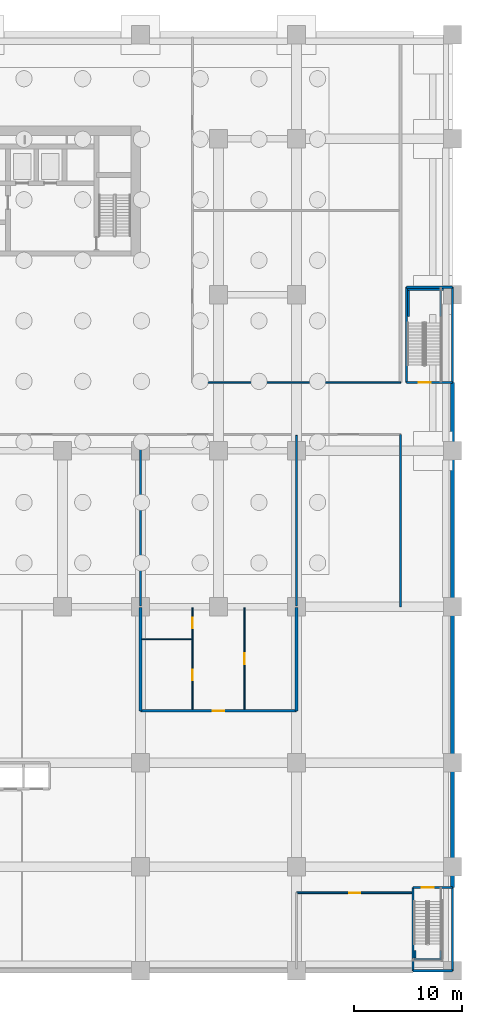
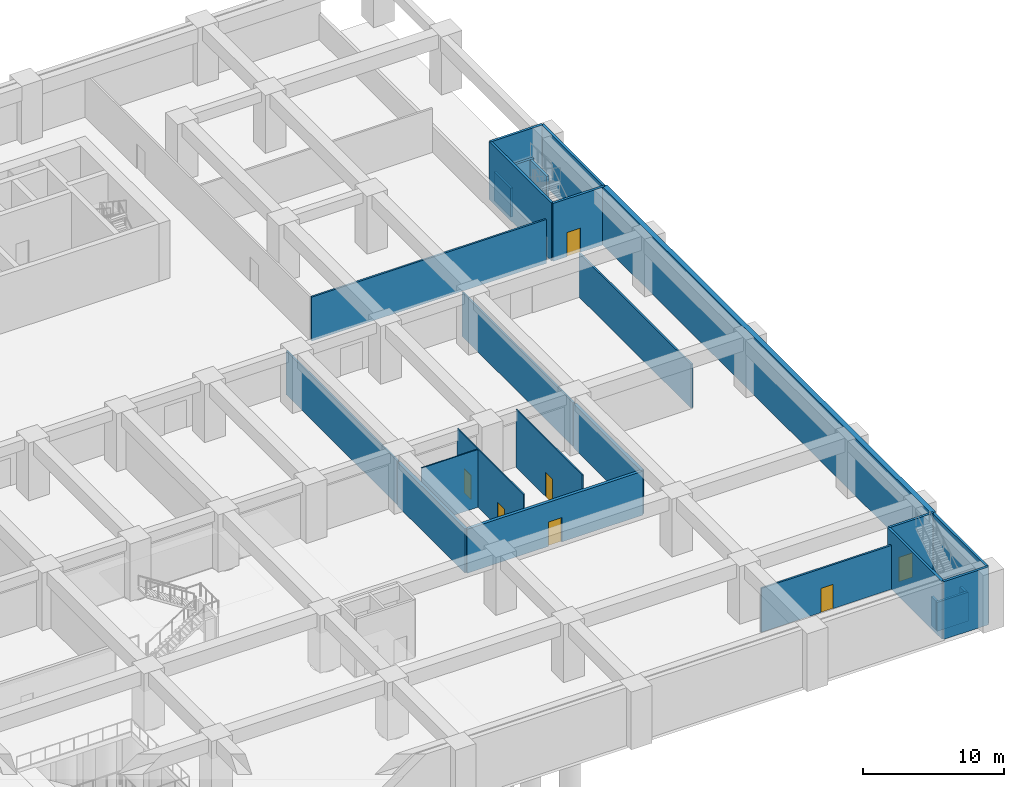
# One storey, part 7 of 20: 26 walls, 7 doors, 7 openings.
"""IFC4 building model written with IfcOpenShell, lengths in metres."""

import ifcopenshell
import ifcopenshell.guid

model = None  # the IFC model being written
_history = None  # IfcOwnerHistory: only IFC2X3 demands one
_inside = {}  # id of a spatial element -> (the spatial element, [elements in it])
_under = {}  # id of a project, library or spatial element -> (it, [spatial elements below it])
_declared = {}  # id of a project -> (the project, [libraries it declares])
_typed = {}  # id of a type object -> (the type object, [elements of that type])
_made_of = {}  # id of a material, layer set ... -> (it, [elements and type objects made of it])


def new_model(schema):
    """Start an empty IFC model of exactly this schema.

    Asked for "IFC4X3", IfcOpenShell would pick the latest addendum, in which some entities
    have other attributes; the version numbers below select the first issue.
    IFC2X3 requires an IfcOwnerHistory on every rooted entity: one is made here for all.
    """
    global model, _history
    if schema == "IFC4X3":
        model = ifcopenshell.file(schema_version=(4, 3, 0, 0))
    else:
        model = ifcopenshell.file(schema=schema)
    _inside.clear()
    _under.clear()
    _declared.clear()
    _typed.clear()
    _made_of.clear()
    _history = None
    if model.schema == "IFC2X3":
        org = make("IfcOrganization", Name="unknown")
        user = make(
            "IfcPersonAndOrganization",
            ThePerson=make("IfcPerson", FamilyName="unknown"),
            TheOrganization=org,
        )
        app = make(
            "IfcApplication",
            ApplicationDeveloper=org,
            Version="unknown",
            ApplicationFullName="unknown",
            ApplicationIdentifier="unknown",
        )
        _history = make(
            "IfcOwnerHistory",
            OwningUser=user,
            OwningApplication=app,
            ChangeAction="ADDED",
            CreationDate=0,
        )
    return model


def make(cls, **values):
    """One entity of the class cls with the attributes given. An attribute that is None is left unset."""
    return model.create_entity(
        cls, **{name: value for name, value in values.items() if value is not None}
    )


def rooted(cls, **values):
    """An entity with a GlobalId (a new one), such as an element, a storey or a relation."""
    return make(cls, GlobalId=ifcopenshell.guid.new(), OwnerHistory=_history, **values)


def si_unit(unit_type, name, prefix=None):
    """IfcSIUnit, for example si_unit("LENGTHUNIT", "METRE", prefix="MILLI")."""
    return make("IfcSIUnit", UnitType=unit_type, Prefix=prefix, Name=name)


def assignment(units):
    """IfcUnitAssignment: the units of a project."""
    return None if units is None else make("IfcUnitAssignment", Units=units)


def point(xyz):
    """IfcCartesianPoint."""
    return None if xyz is None else make("IfcCartesianPoint", Coordinates=xyz)


def direction(xyz):
    """IfcDirection."""
    return None if xyz is None else make("IfcDirection", DirectionRatios=xyz)


def frame(location, z_axis=None, x_axis=None):
    """IfcAxis2Placement3D, a coordinate frame: its origin and axes. An axis left out is left unset."""
    return make(
        "IfcAxis2Placement3D",
        Location=point(location),
        Axis=direction(z_axis),
        RefDirection=direction(x_axis),
    )


def frame_2d(location, x_axis=None):
    """IfcAxis2Placement2D, a coordinate frame in the plane: its origin and x axis."""
    return make(
        "IfcAxis2Placement2D", Location=point(location), RefDirection=direction(x_axis)
    )


def origin():
    """The frame at (0, 0, 0) with its axes left unset."""
    return frame((0.0, 0.0, 0.0))


def place(relative_to, where):
    """IfcLocalPlacement: puts the frame where relative to a parent placement (None: the world)."""
    return make(
        "IfcLocalPlacement", PlacementRelTo=relative_to, RelativePlacement=where
    )


def context(
    kind, dimensions, precision=None, world=None, true_north=None, identifier=None
):
    """IfcGeometricRepresentationContext, for example the 3D "Model" context."""
    return make(
        "IfcGeometricRepresentationContext",
        ContextIdentifier=identifier,
        ContextType=kind,
        CoordinateSpaceDimension=dimensions,
        Precision=precision,
        WorldCoordinateSystem=world,
        TrueNorth=true_north,
    )


def subcontext(parent, identifier, kind, view, scale=None):
    """IfcGeometricRepresentationSubContext, for example "Body" below "Model"."""
    return make(
        "IfcGeometricRepresentationSubContext",
        ContextIdentifier=identifier,
        ContextType=kind,
        ParentContext=parent,
        TargetScale=scale,
        TargetView=view,
    )


def project(units=None, contexts=None):
    """IfcProject with its units and contexts."""
    return rooted(
        "IfcProject",
        Name="project",
        RepresentationContexts=contexts,
        UnitsInContext=assignment(units),
    )


def spatial(cls, under=None, at=None, **own):
    """A site, building, storey or space (cls), placed at a placement, below another one or the project."""
    s = rooted(cls, ObjectPlacement=at, **own)
    if under is not None:
        _under.setdefault(under.id(), (under, []))[1].append(s)
    return s


def profile(cls, at=None, kind="AREA", **sizes):
    """A parametric profile (cls). Its sizes go by their IFC names, for example OverallWidth=200.0."""
    return make(cls, ProfileType=kind, Position=at, **sizes)


def rectangle(**sizes):
    """IfcRectangleProfileDef."""
    return profile("IfcRectangleProfileDef", **sizes)


def extrude(swept, where, along, depth):
    """IfcExtrudedAreaSolid: the profile swept, set in the frame where, extruded along a direction by depth."""
    return make(
        "IfcExtrudedAreaSolid",
        SweptArea=swept,
        Position=where,
        ExtrudedDirection=direction(along),
        Depth=depth,
    )


def shape(context_of_items, identifier, shape_type, items):
    """IfcShapeRepresentation: the items that make up one representation, for example the "Body"."""
    return make(
        "IfcShapeRepresentation",
        ContextOfItems=context_of_items,
        RepresentationIdentifier=identifier,
        RepresentationType=shape_type,
        Items=items,
    )


def material(Name=None, Category=None):
    """IfcMaterial."""
    return make("IfcMaterial", Name=Name, Category=Category)


def layer(
    of_material, thickness, ventilated=None, Name=None, Category=None, Priority=None
):
    """IfcMaterialLayer: one layer of a wall or slab, of a material (None: an air gap)."""
    return make(
        "IfcMaterialLayer",
        Material=of_material,
        LayerThickness=thickness,
        IsVentilated=ventilated,
        Name=Name,
        Category=Category,
        Priority=Priority,
    )


def layer_set(layers, Name=None):
    """IfcMaterialLayerSet."""
    return make("IfcMaterialLayerSet", MaterialLayers=layers, LayerSetName=Name)


def made_of(thing, what):
    """Note that an element or type object is made of a material, layer set ...; save() writes the relation."""
    if what is not None:
        _made_of.setdefault(what.id(), (what, []))[1].append(thing)
    return thing


def type_object(cls, material=None, **own):
    """A type object (cls), such as IfcWallType, which elements share."""
    return made_of(rooted(cls, **own), material)


def element(
    cls,
    number,
    at=None,
    inside=None,
    cuts=None,
    type_object=None,
    material=None,
    context=None,
    identifier="Body",
    shape_type=None,
    held_by="IfcProductDefinitionShape",
    body=None,
    shapes=None,
    **own,
):
    """One element of the class cls, such as IfcWall. Its Tag is "e" and its number.

    at: its placement. inside: the storey or other place that contains it. cuts: it is an
    opening in that element (IfcRelVoidsElement). A single representation is given by context,
    identifier, shape_type and body (its items); several are given by shapes. held_by: the class
    of the entity that holds the representations. save() writes the other relations.
    """
    e = rooted(cls, Tag="e%d" % number, ObjectPlacement=at, **own)
    if body is not None:
        shapes = [shape(context, identifier, shape_type, body)]
    if shapes is not None:
        e.Representation = make(held_by, Representations=shapes)
    if inside is not None:
        _inside.setdefault(inside.id(), (inside, []))[1].append(e)
    if cuts is not None:
        rooted(
            "IfcRelVoidsElement", RelatingBuildingElement=cuts, RelatedOpeningElement=e
        )
    if type_object is not None:
        _typed.setdefault(type_object.id(), (type_object, []))[1].append(e)
    return made_of(e, material)


def fill(opening, filler):
    """IfcRelFillsElement: the door or window that sits in an opening."""
    return rooted(
        "IfcRelFillsElement",
        RelatingOpeningElement=opening,
        RelatedBuildingElement=filler,
    )


def aggregate(whole, parts):
    """IfcRelAggregates: a whole, such as a stair, and the parts it consists of."""
    return rooted("IfcRelAggregates", RelatingObject=whole, RelatedObjects=parts)


def save(model, path):
    """Write the relations noted so far, then the file.

    IfcRelAggregates (storeys below a building ...), IfcRelContainedInSpatialStructure (elements
    in a storey), IfcRelDefinesByType, IfcRelAssociatesMaterial and IfcRelDeclares: one each for
    every whole, place, type object, material and project.
    """
    for whole, parts in _under.values():
        aggregate(whole, parts)
    for where, things in _inside.values():
        rooted(
            "IfcRelContainedInSpatialStructure",
            RelatedElements=things,
            RelatingStructure=where,
        )
    for kind, things in _typed.values():
        rooted("IfcRelDefinesByType", RelatedObjects=things, RelatingType=kind)
    for what, things in _made_of.values():
        rooted("IfcRelAssociatesMaterial", RelatedObjects=things, RelatingMaterial=what)
    for by, libraries in _declared.values():
        rooted("IfcRelDeclares", RelatingContext=by, RelatedDefinitions=libraries)
    model.write(path)


model = new_model("IFC4")

# Units and contexts
model_context = context("Model", 3, precision=1e-05, world=origin(), true_north=direction((0.0, 1.0)))
body_context = subcontext(model_context, "Body", "Model", "MODEL_VIEW")
ifc_project = project(units=[si_unit("LENGTHUNIT", "METRE"), si_unit("AREAUNIT", "SQUARE_METRE"), si_unit("VOLUMEUNIT", "CUBIC_METRE"), si_unit("PLANEANGLEUNIT", "RADIAN"), si_unit("MASSUNIT", "GRAM", prefix="KILO")], contexts=[model_context])

# Site, building, storey
site_placement = place(None, origin())
site = spatial("IfcSite", under=ifc_project, at=site_placement, CompositionType="ELEMENT")
building_placement = place(site_placement, origin())
building = spatial("IfcBuilding", under=site, at=building_placement, Name="Saffron Iwan Residences", CompositionType="ELEMENT")
storey_placement = place(building_placement, frame((0.0, 0.0, -5.39990234375)))
storey = spatial("IfcBuildingStorey", under=building, at=storey_placement, Name="B1", CompositionType="ELEMENT", Elevation=-5.39990234375)

# Wall
ifc_material_1 = material(Name="Concrete C40/50", Category="concrete")
ifc_layer_1 = layer(ifc_material_1, 0.39990234375)
ifc_layer_set_1 = layer_set([ifc_layer_1], Name="Concrete C40/50")
wall_type_1 = type_object("IfcWallType", Name="Basement wall 400", PredefinedType="SOLIDWALL", material=ifc_layer_set_1)
wall_1_placement = place(storey_placement, frame((100.800048828125, 7.699951171875, 0.0), z_axis=(0.0, 0.0, 1.0), x_axis=(0.0, 1.0, 0.0)))
element("IfcWall", 1, at=wall_1_placement, inside=storey, type_object=wall_type_1, Name="W-B1-054", PredefinedType="SOLIDWALL", context=body_context, shape_type="SweptSolid", body=[
    extrude(rectangle(XDim=46.60009765625, YDim=0.39990234375, at=frame_2d((23.300048828125, 0.0))), origin(), (0.0, 0.0, 1.0), 5.0),
])

# Wall, opening, door
ifc_material_2 = material(Name="Concrete blockwork", Category="masonry")
ifc_layer_2 = layer(ifc_material_2, 0.14990234375)
ifc_layer_set_2 = layer_set([ifc_layer_2], Name="Concrete blockwork")
wall_type_2 = type_object("IfcWallType", Name="Blockwork partition 150", PredefinedType="PARTITIONING", material=ifc_layer_set_2)
wall_2_placement = place(storey_placement, frame((86.39990234375, 7.199951171875, 0.0), z_axis=(0.0, 0.0, 1.0), x_axis=(1.0, 0.0, 0.0)))
wall_2 = element("IfcWall", 2, at=wall_2_placement, inside=storey, type_object=wall_type_2, Name="W-B1-005", PredefinedType="PARTITIONING", context=body_context, shape_type="SweptSolid", body=[
    extrude(rectangle(XDim=10.650146484375, YDim=0.14990234375, at=frame_2d((5.3251953125, 0.0))), origin(), (0.0, 0.0, 1.0), 3.7998046875),
])
opening_1_placement = place(wall_2_placement, frame((4.875, 0.0, 0.0)))
opening_1 = element("IfcOpeningElement", 3, at=opening_1_placement, cuts=wall_2, Name="Opening B1.04", PredefinedType="OPENING", context=body_context, shape_type="SweptSolid", body=[
    extrude(rectangle(XDim=1.0, YDim=2.10009765625, at=frame_2d((0.5, 1.050048828125))), frame((0.0, 0.0849609375, 0.0), z_axis=(0.0, -1.0, 0.0), x_axis=(1.0, 0.0, 0.0)), (0.0, 0.0, 1.0), 0.169921875),
])
ifc_material_3 = material(Name="Steel", Category="steel")
door_type_1 = type_object("IfcDoorType", Name="Fire door 1000x2100", OperationType="NOTDEFINED", PredefinedType="DOOR", material=ifc_material_3)
door_1_placement = place(opening_1_placement, origin())
door_1 = element("IfcDoor", 4, at=door_1_placement, inside=storey, type_object=door_type_1, Name="D-B1-004", OperationType="SINGLE_SWING_RIGHT", OverallHeight=2.10009765625, OverallWidth=1.0, PredefinedType="DOOR", context=body_context, shape_type="SweptSolid", body=[
    extrude(rectangle(XDim=1.0, YDim=2.10009765625, at=frame_2d((0.5, 1.050048828125))), frame((0.0, 0.02490234375, 0.0), z_axis=(0.0, -1.0, 0.0), x_axis=(1.0, 0.0, 0.0)), (0.0, 0.0, 1.0), 0.050048828125),
])
fill(opening_1, door_1)

# Walls
wall_3_placement = place(storey_placement, frame((76.800048828125, 54.300048828125, 0.0), z_axis=(0.0, 0.0, 1.0), x_axis=(1.0, 0.0, 0.0)))
element("IfcWall", 5, at=wall_3_placement, inside=storey, type_object=wall_type_2, Name="W-B1-016", PredefinedType="PARTITIONING", context=body_context, shape_type="SweptSolid", body=[
    extrude(rectangle(XDim=19.199951171875, YDim=0.14990234375, at=frame_2d((9.60009765625, 0.0))), origin(), (0.0, 0.0, 1.0), 3.7998046875),
])
for number, where, z_axis, x_axis, name in (
    (6, (72.0, 33.675048828125, 0.0), (0.0, 0.0, 1.0), (0.0, 1.0, 0.0), "W-B1-042"),
    (7, (86.39990234375, 33.675048828125, 0.0), (0.0, 0.0, 1.0), (0.0, 1.0, 0.0), "W-B1-048"),
):
    element("IfcWall", number, at=place(storey_placement, frame(where, z_axis=z_axis, x_axis=x_axis)), inside=storey, type_object=wall_type_2, Name=name, PredefinedType="PARTITIONING", context=body_context, shape_type="SweptSolid", body=[
        extrude(rectangle(XDim=15.75, YDim=0.14990234375, at=frame_2d((7.875, 0.0))), origin(), (0.0, 0.0, 1.0), 3.7998046875),
    ])
wall_4_placement = place(storey_placement, frame((96.0, 33.60009765625, 0.0), z_axis=(0.0, 0.0, 1.0), x_axis=(0.0, 1.0, 0.0)))
element("IfcWall", 8, at=wall_4_placement, inside=storey, type_object=wall_type_2, Name="W-B1-050", PredefinedType="PARTITIONING", context=body_context, shape_type="SweptSolid", body=[
    extrude(rectangle(XDim=15.89990234375, YDim=0.14990234375, at=frame_2d((7.949951171875, 0.0))), origin(), (0.0, 0.0, 1.0), 3.7998046875),
])

# Wall, opening, door
ifc_layer_3 = layer(ifc_material_1, 0.25)
ifc_layer_set_3 = layer_set([ifc_layer_3], Name="Concrete C40/50")
wall_type_3 = type_object("IfcWallType", Name="Fire compartment wall 250", PredefinedType="SOLIDWALL", material=ifc_layer_set_3)
wall_5_placement = place(storey_placement, frame((72.0, 24.0, 0.0), z_axis=(0.0, 0.0, 1.0), x_axis=(1.0, 0.0, 0.0)))
wall_5 = element("IfcWall", 9, at=wall_5_placement, inside=storey, type_object=wall_type_3, Name="W-B1-011", PredefinedType="SOLIDWALL", context=body_context, shape_type="SweptSolid", body=[
    extrude(rectangle(XDim=14.39990234375, YDim=0.25, at=frame_2d((7.199951171875, 0.0))), origin(), (0.0, 0.0, 1.0), 3.7998046875),
])
opening_2_placement = place(wall_5_placement, frame((6.64990234375, 0.0, 0.0)))
opening_2 = element("IfcOpeningElement", 10, at=opening_2_placement, cuts=wall_5, Name="Opening B1.10", PredefinedType="OPENING", context=body_context, shape_type="SweptSolid", body=[
    extrude(rectangle(XDim=1.10009765625, YDim=2.10009765625, at=frame_2d((0.550048828125, 1.050048828125))), frame((0.0, 0.135009765625, 0.0), z_axis=(0.0, -1.0, 0.0), x_axis=(1.0, 0.0, 0.0)), (0.0, 0.0, 1.0), 0.27001953125),
])
door_type_2 = type_object("IfcDoorType", Name="Fire door 1100x2100", OperationType="NOTDEFINED", PredefinedType="DOOR", material=ifc_material_3)
door_2_placement = place(opening_2_placement, origin())
door_2 = element("IfcDoor", 11, at=door_2_placement, inside=storey, type_object=door_type_2, Name="D-B1-010", OperationType="SINGLE_SWING_RIGHT", OverallHeight=2.10009765625, OverallWidth=1.10009765625, PredefinedType="DOOR", context=body_context, shape_type="SweptSolid", body=[
    extrude(rectangle(XDim=1.10009765625, YDim=2.10009765625, at=frame_2d((0.550048828125, 1.050048828125))), frame((0.0, 0.02490234375, 0.0), z_axis=(0.0, -1.0, 0.0), x_axis=(1.0, 0.0, 0.0)), (0.0, 0.0, 1.0), 0.050048828125),
])
fill(opening_2, door_2)

# Walls
for number, where, z_axis, x_axis, name in (
    (12, (72.0, 24.0, 0.0), (0.0, 0.0, 1.0), (0.0, 1.0, 0.0), "W-B1-043"),
    (13, (86.39990234375, 24.0, 0.0), (0.0, 0.0, 1.0), (0.0, 1.0, 0.0), "W-B1-049"),
):
    element("IfcWall", number, at=place(storey_placement, frame(where, z_axis=z_axis, x_axis=x_axis)), inside=storey, type_object=wall_type_3, Name=name, PredefinedType="SOLIDWALL", context=body_context, shape_type="SweptSolid", body=[
        extrude(rectangle(XDim=9.52490234375, YDim=0.25, at=frame_2d((4.762451171875, 0.0))), origin(), (0.0, 0.0, 1.0), 3.7998046875),
    ])
ifc_layer_4 = layer(ifc_material_1, 0.199951171875)
ifc_layer_set_4 = layer_set([ifc_layer_4], Name="Concrete C40/50")
wall_type_4 = type_object("IfcWallType", Name="Landing support wall, reinforced concrete 200", PredefinedType="SOLIDWALL", material=ifc_layer_set_4)
for number, where, z_axis, x_axis, name in (
    (14, (97.35009765625, 1.199951171875, 0.0), (0.0, 0.0, 1.0), (0.0, 1.0, 0.0), "SE2 landing support wall"),
    (15, (99.699951171875, 1.199951171875, 0.0), (0.0, 0.0, 1.0), (0.0, 1.0, 0.0), "SE2 landing support wall"),
):
    element("IfcWall", number, at=place(storey_placement, frame(where, z_axis=z_axis, x_axis=x_axis)), inside=storey, type_object=wall_type_4, Name=name, PredefinedType="SOLIDWALL", context=body_context, shape_type="SweptSolid", body=[
        extrude(rectangle(XDim=0.679931640625, YDim=0.199951171875, at=frame_2d((0.33984375, 0.0))), origin(), (0.0, 0.0, 1.0), 2.5),
    ])
wall_6_placement = place(storey_placement, frame((97.25, 1.10009765625, 0.0), z_axis=(0.0, 0.0, 1.0), x_axis=(1.0, 0.0, 0.0)))
element("IfcWall", 16, at=wall_6_placement, inside=storey, type_object=wall_type_4, Name="SE2 landing support wall", PredefinedType="SOLIDWALL", context=body_context, shape_type="SweptSolid", body=[
    extrude(rectangle(XDim=2.550048828125, YDim=0.199951171875, at=frame_2d((1.27490234375, 0.0))), origin(), (0.0, 0.0, 1.0), 2.5),
])
for number, where, z_axis, x_axis, name in (
    (17, (96.75, 60.419921875, 0.0), (0.0, 0.0, 1.0), (0.0, 1.0, 0.0), "PS4 landing support wall"),
    (18, (99.699951171875, 60.419921875, 0.0), (0.0, 0.0, 1.0), (0.0, 1.0, 0.0), "PS4 landing support wall"),
):
    element("IfcWall", number, at=place(storey_placement, frame(where, z_axis=z_axis, x_axis=x_axis)), inside=storey, type_object=wall_type_4, Name=name, PredefinedType="SOLIDWALL", context=body_context, shape_type="SweptSolid", body=[
        extrude(rectangle(XDim=2.380126953125, YDim=0.199951171875, at=frame_2d((1.18994140625, 0.0))), origin(), (0.0, 0.0, 1.0), 2.5),
    ])
wall_7_placement = place(storey_placement, frame((96.64990234375, 62.89990234375, 0.0), z_axis=(0.0, 0.0, 1.0), x_axis=(1.0, 0.0, 0.0)))
element("IfcWall", 19, at=wall_7_placement, inside=storey, type_object=wall_type_4, Name="PS4 landing support wall", PredefinedType="SOLIDWALL", context=body_context, shape_type="SweptSolid", body=[
    extrude(rectangle(XDim=3.300048828125, YDim=0.199951171875, at=frame_2d((1.64990234375, 0.0))), origin(), (0.0, 0.0, 1.0), 2.5),
])
ifc_material_4 = material(Name="Plasterboard")
ifc_layer_5 = layer(ifc_material_4, 0.10009765625)
ifc_layer_set_5 = layer_set([ifc_layer_5], Name="Plasterboard")
wall_type_5 = type_object("IfcWallType", Name="Plasterboard partition 100", PredefinedType="PARTITIONING", material=ifc_layer_set_5)
wall_8_placement = place(storey_placement, frame((72.125, 30.60009765625, 0.0), z_axis=(0.0, 0.0, 1.0), x_axis=(1.0, 0.0, 0.0)))
element("IfcWall", 20, at=wall_8_placement, inside=storey, type_object=wall_type_5, Name="W-B1-012", PredefinedType="PARTITIONING", context=body_context, shape_type="SweptSolid", body=[
    extrude(rectangle(XDim=4.625, YDim=0.10009765625, at=frame_2d((2.3125, 0.0))), origin(), (0.0, 0.0, 1.0), 5.0),
])

# Wall, openings, doors
wall_9_placement = place(storey_placement, frame((76.800048828125, 24.125, 0.0), z_axis=(0.0, 0.0, 1.0), x_axis=(0.0, 1.0, 0.0)))
wall_9 = element("IfcWall", 21, at=wall_9_placement, inside=storey, type_object=wall_type_5, Name="W-B1-044", PredefinedType="PARTITIONING", context=body_context, shape_type="SweptSolid", body=[
    extrude(rectangle(XDim=9.39990234375, YDim=0.10009765625, at=frame_2d((4.699951171875, 0.0))), origin(), (0.0, 0.0, 1.0), 5.0),
])
opening_3_placement = place(wall_9_placement, frame((2.675048828125, 0.0, 0.0)))
opening_3 = element("IfcOpeningElement", 22, at=opening_3_placement, cuts=wall_9, Name="Opening B1.07", PredefinedType="OPENING", context=body_context, shape_type="SweptSolid", body=[
    extrude(rectangle(XDim=1.0, YDim=2.10009765625, at=frame_2d((0.5, 1.050048828125))), frame((0.0, 0.06005859375, 0.0), z_axis=(0.0, -1.0, 0.0), x_axis=(1.0, 0.0, 0.0)), (0.0, 0.0, 1.0), 0.1201171875),
])
opening_4_placement = place(wall_9_placement, frame((7.47509765625, 0.0, 0.0)))
opening_4 = element("IfcOpeningElement", 23, at=opening_4_placement, cuts=wall_9, Name="Opening B1.08", PredefinedType="OPENING", context=body_context, shape_type="SweptSolid", body=[
    extrude(rectangle(XDim=1.0, YDim=2.10009765625, at=frame_2d((0.5, 1.050048828125))), frame((0.0, 0.06005859375, 0.0), z_axis=(0.0, -1.0, 0.0), x_axis=(1.0, 0.0, 0.0)), (0.0, 0.0, 1.0), 0.1201171875),
])
ifc_material_5 = material(Name="Timber", Category="wood")
door_type_3 = type_object("IfcDoorType", Name="Door 1000x2100", OperationType="NOTDEFINED", PredefinedType="DOOR", material=ifc_material_5)
door_3_placement = place(opening_3_placement, origin())
door_3 = element("IfcDoor", 24, at=door_3_placement, inside=storey, type_object=door_type_3, Name="D-B1-007", OperationType="SINGLE_SWING_LEFT", OverallHeight=2.10009765625, OverallWidth=1.0, PredefinedType="DOOR", context=body_context, shape_type="SweptSolid", body=[
    extrude(rectangle(XDim=1.0, YDim=2.10009765625, at=frame_2d((0.5, 1.050048828125))), frame((0.0, 0.02490234375, 0.0), z_axis=(0.0, -1.0, 0.0), x_axis=(1.0, 0.0, 0.0)), (0.0, 0.0, 1.0), 0.050048828125),
])
fill(opening_3, door_3)
door_4_placement = place(opening_4_placement, origin())
door_4 = element("IfcDoor", 25, at=door_4_placement, inside=storey, type_object=door_type_3, Name="D-B1-008", OperationType="SINGLE_SWING_RIGHT", OverallHeight=2.10009765625, OverallWidth=1.0, PredefinedType="DOOR", context=body_context, shape_type="SweptSolid", body=[
    extrude(rectangle(XDim=1.0, YDim=2.10009765625, at=frame_2d((0.5, 1.050048828125))), frame((0.0, 0.02490234375, 0.0), z_axis=(0.0, -1.0, 0.0), x_axis=(1.0, 0.0, 0.0)), (0.0, 0.0, 1.0), 0.050048828125),
])
fill(opening_4, door_4)

# Wall, opening, door
wall_10_placement = place(storey_placement, frame((81.60009765625, 24.125, 0.0), z_axis=(0.0, 0.0, 1.0), x_axis=(0.0, 1.0, 0.0)))
wall_10 = element("IfcWall", 26, at=wall_10_placement, inside=storey, type_object=wall_type_5, Name="W-B1-046", PredefinedType="PARTITIONING", context=body_context, shape_type="SweptSolid", body=[
    extrude(rectangle(XDim=9.39990234375, YDim=0.10009765625, at=frame_2d((4.699951171875, 0.0))), origin(), (0.0, 0.0, 1.0), 5.0),
])
opening_5_placement = place(wall_10_placement, frame((4.175048828125, 0.0, 0.0)))
opening_5 = element("IfcOpeningElement", 27, at=opening_5_placement, cuts=wall_10, Name="Opening B1.09", PredefinedType="OPENING", context=body_context, shape_type="SweptSolid", body=[
    extrude(rectangle(XDim=1.0, YDim=2.10009765625, at=frame_2d((0.5, 1.050048828125))), frame((0.0, 0.06005859375, 0.0), z_axis=(0.0, -1.0, 0.0), x_axis=(1.0, 0.0, 0.0)), (0.0, 0.0, 1.0), 0.1201171875),
])
door_5_placement = place(opening_5_placement, origin())
door_5 = element("IfcDoor", 28, at=door_5_placement, inside=storey, type_object=door_type_3, Name="D-B1-009", OperationType="SINGLE_SWING_LEFT", OverallHeight=2.10009765625, OverallWidth=1.0, PredefinedType="DOOR", context=body_context, shape_type="SweptSolid", body=[
    extrude(rectangle(XDim=1.0, YDim=2.10009765625, at=frame_2d((0.5, 1.050048828125))), frame((0.0, 0.02490234375, 0.0), z_axis=(0.0, -1.0, 0.0), x_axis=(1.0, 0.0, 0.0)), (0.0, 0.0, 1.0), 0.050048828125),
])
fill(opening_5, door_5)

# Wall
ifc_layer_6 = layer(ifc_material_1, 0.199951171875)
ifc_layer_set_6 = layer_set([ifc_layer_6], Name="Concrete C40/50")
wall_type_6 = type_object("IfcWallType", Name="Reinforced concrete stair wall 200", PredefinedType="SOLIDWALL", material=ifc_layer_set_6)
wall_11_placement = place(storey_placement, frame((97.14990234375, 0.0, 0.0), z_axis=(0.0, 0.0, 1.0), x_axis=(1.0, 0.0, 0.0)))
element("IfcWall", 29, at=wall_11_placement, inside=storey, type_object=wall_type_6, Name="W-B1-003", PredefinedType="SOLIDWALL", context=body_context, shape_type="SweptSolid", body=[
    extrude(rectangle(XDim=3.650146484375, YDim=0.199951171875, at=frame_2d((1.8251953125, 0.0))), origin(), (0.0, 0.0, 1.0), 5.0),
])

# Wall, opening, door
wall_12_placement = place(storey_placement, frame((97.14990234375, 7.699951171875, 0.0), z_axis=(0.0, 0.0, 1.0), x_axis=(1.0, 0.0, 0.0)))
wall_12 = element("IfcWall", 30, at=wall_12_placement, inside=storey, type_object=wall_type_6, Name="W-B1-007", PredefinedType="SOLIDWALL", context=body_context, shape_type="SweptSolid", body=[
    extrude(rectangle(XDim=3.650146484375, YDim=0.199951171875, at=frame_2d((1.8251953125, 0.0))), origin(), (0.0, 0.0, 1.0), 5.0),
])
opening_6_placement = place(wall_12_placement, frame((0.824951171875, 0.0, 0.0)))
opening_6 = element("IfcOpeningElement", 31, at=opening_6_placement, cuts=wall_12, Name="Opening B1.22", PredefinedType="OPENING", context=body_context, shape_type="SweptSolid", body=[
    extrude(rectangle(XDim=1.10009765625, YDim=2.10009765625, at=frame_2d((0.550048828125, 1.050048828125))), frame((0.0, 0.10986328125, 0.0), z_axis=(0.0, -1.0, 0.0), x_axis=(1.0, 0.0, 0.0)), (0.0, 0.0, 1.0), 0.219970703125),
])
door_6_placement = place(opening_6_placement, origin())
door_6 = element("IfcDoor", 32, at=door_6_placement, inside=storey, type_object=door_type_2, Name="D-B1-022", OperationType="SINGLE_SWING_LEFT", OverallHeight=2.10009765625, OverallWidth=1.10009765625, PredefinedType="DOOR", context=body_context, shape_type="SweptSolid", body=[
    extrude(rectangle(XDim=1.10009765625, YDim=2.10009765625, at=frame_2d((0.550048828125, 1.050048828125))), frame((0.0, 0.02490234375, 0.0), z_axis=(0.0, -1.0, 0.0), x_axis=(1.0, 0.0, 0.0)), (0.0, 0.0, 1.0), 0.050048828125),
])
fill(opening_6, door_6)

wall_13_placement = place(storey_placement, frame((96.550048828125, 54.300048828125, 0.0), z_axis=(0.0, 0.0, 1.0), x_axis=(1.0, 0.0, 0.0)))
wall_13 = element("IfcWall", 33, at=wall_13_placement, inside=storey, type_object=wall_type_6, Name="W-B1-018", PredefinedType="SOLIDWALL", context=body_context, shape_type="SweptSolid", body=[
    extrude(rectangle(XDim=4.25, YDim=0.199951171875, at=frame_2d((2.125, 0.0))), origin(), (0.0, 0.0, 1.0), 5.0),
])
opening_7_placement = place(wall_13_placement, frame((1.125, 0.0, 0.0)))
opening_7 = element("IfcOpeningElement", 34, at=opening_7_placement, cuts=wall_13, Name="Opening B1.24", PredefinedType="OPENING", context=body_context, shape_type="SweptSolid", body=[
    extrude(rectangle(XDim=1.10009765625, YDim=2.10009765625, at=frame_2d((0.550048828125, 1.050048828125))), frame((0.0, 0.10986328125, 0.0), z_axis=(0.0, -1.0, 0.0), x_axis=(1.0, 0.0, 0.0)), (0.0, 0.0, 1.0), 0.219970703125),
])
door_7_placement = place(opening_7_placement, origin())
door_7 = element("IfcDoor", 35, at=door_7_placement, inside=storey, type_object=door_type_2, Name="D-B1-024", OperationType="SINGLE_SWING_LEFT", OverallHeight=2.10009765625, OverallWidth=1.10009765625, PredefinedType="DOOR", context=body_context, shape_type="SweptSolid", body=[
    extrude(rectangle(XDim=1.10009765625, YDim=2.10009765625, at=frame_2d((0.550048828125, 1.050048828125))), frame((0.0, 0.02490234375, 0.0), z_axis=(0.0, -1.0, 0.0), x_axis=(1.0, 0.0, 0.0)), (0.0, 0.0, 1.0), 0.050048828125),
])
fill(opening_7, door_7)

# Walls
wall_14_placement = place(storey_placement, frame((96.550048828125, 63.10009765625, 0.0), z_axis=(0.0, 0.0, 1.0), x_axis=(1.0, 0.0, 0.0)))
element("IfcWall", 36, at=wall_14_placement, inside=storey, type_object=wall_type_6, Name="W-B1-020", PredefinedType="SOLIDWALL", context=body_context, shape_type="SweptSolid", body=[
    extrude(rectangle(XDim=4.25, YDim=0.199951171875, at=frame_2d((2.125, 0.0))), origin(), (0.0, 0.0, 1.0), 5.0),
])
wall_15_placement = place(storey_placement, frame((96.550048828125, 54.300048828125, 0.0), z_axis=(0.0, 0.0, 1.0), x_axis=(0.0, 1.0, 0.0)))
element("IfcWall", 37, at=wall_15_placement, inside=storey, type_object=wall_type_6, Name="W-B1-052", PredefinedType="SOLIDWALL", context=body_context, shape_type="SweptSolid", body=[
    extrude(rectangle(XDim=8.800048828125, YDim=0.199951171875, at=frame_2d((4.39990234375, 0.0))), origin(), (0.0, 0.0, 1.0), 5.0),
])
for number, where, z_axis, x_axis, name in (
    (38, (97.14990234375, 0.0, 0.0), (0.0, 0.0, 1.0), (0.0, 1.0, 0.0), "W-B1-053"),
    (39, (100.800048828125, 0.0, 0.0), (0.0, 0.0, 1.0), (0.0, 1.0, 0.0), "W-B1-055"),
):
    element("IfcWall", number, at=place(storey_placement, frame(where, z_axis=z_axis, x_axis=x_axis)), inside=storey, type_object=wall_type_6, Name=name, PredefinedType="SOLIDWALL", context=body_context, shape_type="SweptSolid", body=[
        extrude(rectangle(XDim=7.699951171875, YDim=0.199951171875, at=frame_2d((3.85009765625, 0.0))), origin(), (0.0, 0.0, 1.0), 5.0),
    ])
wall_16_placement = place(storey_placement, frame((100.800048828125, 54.300048828125, 0.0), z_axis=(0.0, 0.0, 1.0), x_axis=(0.0, 1.0, 0.0)))
element("IfcWall", 40, at=wall_16_placement, inside=storey, type_object=wall_type_6, Name="W-B1-056", PredefinedType="SOLIDWALL", context=body_context, shape_type="SweptSolid", body=[
    extrude(rectangle(XDim=8.800048828125, YDim=0.199951171875, at=frame_2d((4.39990234375, 0.0))), origin(), (0.0, 0.0, 1.0), 5.0),
])

save(model, "model.ifc")
